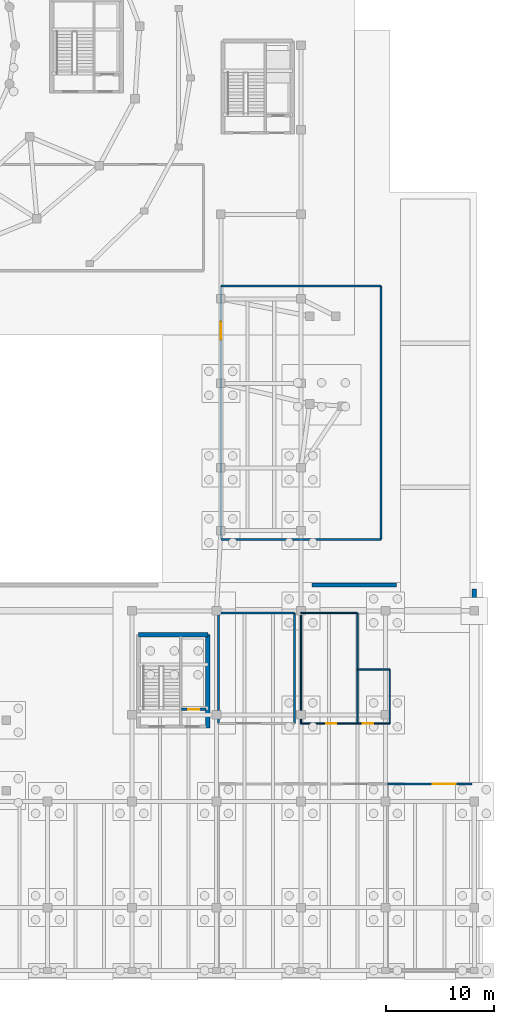
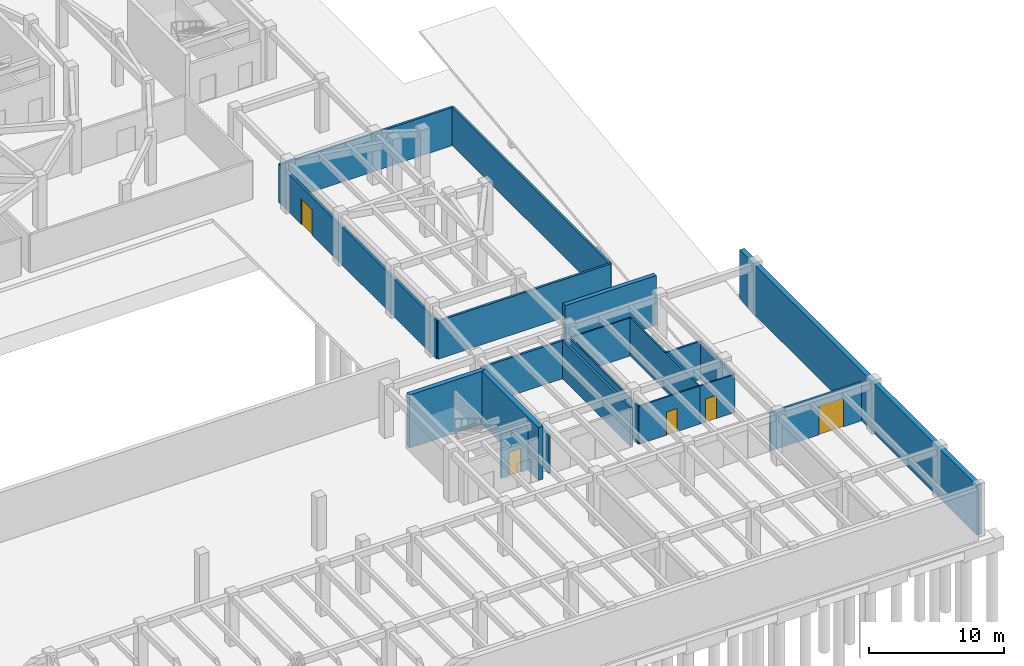
# One storey, part 7 of 11: 20 walls, 5 doors, 5 openings.
"""IFC4 building model written with IfcOpenShell, lengths in metres."""

from ifc_helpers import new_model, si_unit, direction, frame, frame_2d, origin, place, context, subcontext, project, spatial, rectangle, extrude, material, layer, layer_set, type_object, element, fill, save


model = new_model("IFC4")

# Units and contexts
model_context = context("Model", 3, precision=1e-05, world=origin(), true_north=direction((0.0, 1.0)))
body_context = subcontext(model_context, "Body", "Model", "MODEL_VIEW")
ifc_project = project(units=[si_unit("LENGTHUNIT", "METRE"), si_unit("AREAUNIT", "SQUARE_METRE"), si_unit("VOLUMEUNIT", "CUBIC_METRE"), si_unit("PLANEANGLEUNIT", "RADIAN"), si_unit("MASSUNIT", "GRAM", prefix="KILO")], contexts=[model_context])

# Site, building, storey
site_placement = place(None, origin())
site = spatial("IfcSite", under=ifc_project, at=site_placement, CompositionType="ELEMENT")
building_placement = place(site_placement, origin())
building = spatial("IfcBuilding", under=site, at=building_placement, Name="Pelvatis Terrace Science Centre", CompositionType="ELEMENT")
storey_placement = place(building_placement, frame((0.0, 0.0, -4.800048828125)))
storey = spatial("IfcBuildingStorey", under=building, at=storey_placement, Name="B01", CompositionType="ELEMENT", Elevation=-4.800048828125)

# Wall, opening, door
ifc_material_1 = material(Name="Masonry laboratory fire wall", Category="masonry")
ifc_layer_1 = layer(ifc_material_1, 0.18994140625)
ifc_layer_set_1 = layer_set([ifc_layer_1], Name="Masonry laboratory fire wall")
wall_type_1 = type_object("IfcWallType", Name="WL-INT-COMP-190", PredefinedType="PARTITIONING", material=ifc_layer_set_1)
wall_1_placement = place(storey_placement, frame((164.0, 17.60009765625, 0.0), z_axis=(0.0, 0.0, 1.0), x_axis=(-1.0, 0.0, 0.0)))
wall_1 = element("IfcWall", 1, at=wall_1_placement, inside=storey, type_object=wall_type_1, Name="Covered Heavy Exhibit Loading Dock partition wall N", PredefinedType="PARTITIONING", context=body_context, shape_type="SweptSolid", body=[
    extrude(rectangle(XDim=7.800048828125, YDim=0.18994140625, at=frame_2d((3.89990234375, 0.0))), origin(), (0.0, 0.0, 1.0), 3.449951171875),
])
opening_1_placement = place(wall_1_placement, frame((1.52197265625, 0.0, 0.0)))
opening_1 = element("IfcOpeningElement", 2, at=opening_1_placement, cuts=wall_1, Name="Opening D-164", PredefinedType="OPENING", context=body_context, shape_type="SweptSolid", body=[
    extrude(rectangle(XDim=2.10009765625, YDim=2.60009765625, at=frame_2d((1.050048828125, 1.300048828125))), frame((0.0, 0.10498046875, 0.0), z_axis=(0.0, -1.0, 0.0), x_axis=(1.0, 0.0, 0.0)), (0.0, 0.0, 1.0), 0.2099609375),
])
ifc_material_2 = material(Name="Steel workshop crating double fire door", Category="steel")
door_type_1 = type_object("IfcDoorType", Name="DR-WORK-2100x2600", OperationType="NOTDEFINED", PredefinedType="DOOR", material=ifc_material_2)
door_1_placement = place(opening_1_placement, origin())
door_1 = element("IfcDoor", 3, at=door_1_placement, inside=storey, type_object=door_type_1, Name="Covered Heavy Exhibit Loading Dock entrance door", OperationType="DOUBLE_DOOR_SINGLE_SWING", OverallHeight=2.60009765625, OverallWidth=2.10009765625, PredefinedType="DOOR", context=body_context, shape_type="SweptSolid", body=[
    extrude(rectangle(XDim=2.10009765625, YDim=2.60009765625, at=frame_2d((1.050048828125, 1.300048828125))), frame((0.0, 0.02490234375, 0.0), z_axis=(0.0, -1.0, 0.0), x_axis=(1.0, 0.0, 0.0)), (0.0, 0.0, 1.0), 0.050048828125),
])
fill(opening_1, door_1)

# Walls
wall_2_placement = place(storey_placement, frame((147.60009765625, 23.199951171875, 0.0), z_axis=(0.0, 0.0, 1.0), x_axis=(0.0, 1.0, 0.0)))
element("IfcWall", 4, at=wall_2_placement, inside=storey, type_object=wall_type_1, Name="Clean Electronics and Exhibit Prototyping Workshop partition wall E", PredefinedType="PARTITIONING", context=body_context, shape_type="SweptSolid", body=[
    extrude(rectangle(XDim=10.199951171875, YDim=0.18994140625, at=frame_2d((5.10009765625, 0.0))), origin(), (0.0, 0.0, 1.0), 3.449951171875),
])
wall_3_placement = place(storey_placement, frame((147.60009765625, 33.39990234375, 0.0), z_axis=(0.0, 0.0, 1.0), x_axis=(-1.0, 0.0, 0.0)))
element("IfcWall", 5, at=wall_3_placement, inside=storey, type_object=wall_type_1, Name="Clean Electronics and Exhibit Prototyping Workshop partition wall N", PredefinedType="PARTITIONING", context=body_context, shape_type="SweptSolid", body=[
    extrude(rectangle(XDim=7.0, YDim=0.18994140625, at=frame_2d((3.5, 0.0))), origin(), (0.0, 0.0, 1.0), 3.449951171875),
])
wall_4_placement = place(storey_placement, frame((140.60009765625, 33.39990234375, 0.0), z_axis=(0.0, 0.0, 1.0), x_axis=(0.0, -1.0, 0.0)))
element("IfcWall", 6, at=wall_4_placement, inside=storey, type_object=wall_type_1, Name="Clean Electronics and Exhibit Prototyping Workshop partition wall W", PredefinedType="PARTITIONING", context=body_context, shape_type="SweptSolid", body=[
    extrude(rectangle(XDim=10.199951171875, YDim=0.18994140625, at=frame_2d((5.10009765625, 0.0))), origin(), (0.0, 0.0, 1.0), 3.449951171875),
])
wall_5_placement = place(storey_placement, frame((140.800048828125, 40.199951171875, 0.0), z_axis=(0.0, 0.0, 1.0), x_axis=(1.0, 0.0, 0.0)))
element("IfcWall", 7, at=wall_5_placement, inside=storey, type_object=wall_type_1, Name="High-Density Natural History Specimen Compactor Archive partition wall S", PredefinedType="PARTITIONING", context=body_context, shape_type="SweptSolid", body=[
    extrude(rectangle(XDim=14.800048828125, YDim=0.18994140625, at=frame_2d((7.39990234375, 0.0))), origin(), (0.0, 0.0, 1.0), 3.449951171875),
])
wall_6_placement = place(storey_placement, frame((155.60009765625, 40.199951171875, 0.0), z_axis=(0.0, 0.0, 1.0), x_axis=(0.0, 1.0, 0.0)))
element("IfcWall", 8, at=wall_6_placement, inside=storey, type_object=wall_type_1, Name="High-Density Natural History Specimen Compactor Archive partition wall E", PredefinedType="PARTITIONING", context=body_context, shape_type="SweptSolid", body=[
    extrude(rectangle(XDim=23.400146484375, YDim=0.18994140625, at=frame_2d((11.7001953125, 0.0))), origin(), (0.0, 0.0, 1.0), 3.449951171875),
])
wall_7_placement = place(storey_placement, frame((155.60009765625, 63.60009765625, 0.0), z_axis=(0.0, 0.0, 1.0), x_axis=(-1.0, 0.0, 0.0)))
element("IfcWall", 9, at=wall_7_placement, inside=storey, type_object=wall_type_1, Name="High-Density Natural History Specimen Compactor Archive partition wall N", PredefinedType="PARTITIONING", context=body_context, shape_type="SweptSolid", body=[
    extrude(rectangle(XDim=14.800048828125, YDim=0.18994140625, at=frame_2d((7.39990234375, 0.0))), origin(), (0.0, 0.0, 1.0), 3.449951171875),
])

# Wall, opening, door
wall_8_placement = place(storey_placement, frame((140.800048828125, 63.60009765625, 0.0), z_axis=(0.0, 0.0, 1.0), x_axis=(0.0, -1.0, 0.0)))
wall_8 = element("IfcWall", 10, at=wall_8_placement, inside=storey, type_object=wall_type_1, Name="High-Density Natural History Specimen Compactor Archive partition wall W", PredefinedType="PARTITIONING", context=body_context, shape_type="SweptSolid", body=[
    extrude(rectangle(XDim=23.400146484375, YDim=0.18994140625, at=frame_2d((11.7001953125, 0.0))), origin(), (0.0, 0.0, 1.0), 3.449951171875),
])
opening_2_placement = place(wall_8_placement, frame((3.320068359375, 0.0, 0.0)))
opening_2 = element("IfcOpeningElement", 11, at=opening_2_placement, cuts=wall_8, Name="Opening D-167", PredefinedType="OPENING", context=body_context, shape_type="SweptSolid", body=[
    extrude(rectangle(XDim=1.64990234375, YDim=2.300048828125, at=frame_2d((0.824951171875, 1.14990234375))), frame((0.0, 0.10498046875, 0.0), z_axis=(0.0, -1.0, 0.0), x_axis=(1.0, 0.0, 0.0)), (0.0, 0.0, 1.0), 0.2099609375),
])
ifc_material_3 = material(Name="Insulated steel specimen archive fire door", Category="steel")
door_type_2 = type_object("IfcDoorType", Name="DR-ARCH-1650x2300", OperationType="NOTDEFINED", PredefinedType="DOOR", material=ifc_material_3)
door_2_placement = place(opening_2_placement, origin())
door_2 = element("IfcDoor", 12, at=door_2_placement, inside=storey, type_object=door_type_2, Name="High-Density Natural History Specimen Compactor Archive entrance door", OperationType="DOUBLE_DOOR_SINGLE_SWING", OverallHeight=2.300048828125, OverallWidth=1.64990234375, PredefinedType="DOOR", context=body_context, shape_type="SweptSolid", body=[
    extrude(rectangle(XDim=1.64990234375, YDim=2.300048828125, at=frame_2d((0.824951171875, 1.14990234375))), frame((0.0, 0.02490234375, 0.0), z_axis=(0.0, -1.0, 0.0), x_axis=(1.0, 0.0, 0.0)), (0.0, 0.0, 1.0), 0.050048828125),
])
fill(opening_2, door_2)

ifc_material_4 = material(Name="Concrete C35/45 stair enclosure wall", Category="concrete")
ifc_layer_2 = layer(ifc_material_4, 0.22509765625)
ifc_layer_set_2 = layer_set([ifc_layer_2], Name="Concrete C35/45 stair enclosure wall")
wall_type_2 = type_object("IfcWallType", Name="WL-INT-CORE-225", PredefinedType="PARTITIONING", material=ifc_layer_set_2)
wall_9_placement = place(storey_placement, frame((137.14990234375, 24.5, 0.0), z_axis=(0.0, 0.0, 1.0), x_axis=(1.0, 0.0, 0.0)))
wall_9 = element("IfcWall", 13, at=wall_9_placement, inside=storey, type_object=wall_type_2, Name="Core C4 lift shaft landing wall (B01)", PredefinedType="PARTITIONING", context=body_context, shape_type="SweptSolid", body=[
    extrude(rectangle(XDim=2.300048828125, YDim=0.22509765625, at=frame_2d((1.14990234375, 0.0))), origin(), (0.0, 0.0, 1.0), 3.840087890625),
])
opening_3_placement = place(wall_9_placement, frame((0.64990234375, 0.0, 0.0)))
opening_3 = element("IfcOpeningElement", 14, at=opening_3_placement, cuts=wall_9, Name="Opening LD-C4-1", PredefinedType="OPENING", context=body_context, shape_type="SweptSolid", body=[
    extrude(rectangle(XDim=1.0, YDim=2.14990234375, at=frame_2d((0.5, 1.074951171875))), frame((0.0, 0.12255859375, 0.0), z_axis=(0.0, -1.0, 0.0), x_axis=(1.0, 0.0, 0.0)), (0.0, 0.0, 1.0), 0.2451171875),
])
ifc_material_5 = material(Name="Bronze-clad sliding passenger lift landing door", Category="steel")
door_type_3 = type_object("IfcDoorType", Name="DR-LIFT-1000x2150", OperationType="NOTDEFINED", PredefinedType="DOOR", material=ifc_material_5)
door_3_placement = place(opening_3_placement, origin())
door_3 = element("IfcDoor", 15, at=door_3_placement, inside=storey, type_object=door_type_3, Name="Lift LF-06 sliding landing door (B01)", OperationType="SLIDING_TO_LEFT", OverallHeight=2.14990234375, OverallWidth=1.0, PredefinedType="DOOR", context=body_context, shape_type="SweptSolid", body=[
    extrude(rectangle(XDim=1.0, YDim=2.14990234375, at=frame_2d((0.5, 1.074951171875))), frame((0.0, 0.02490234375, 0.0), z_axis=(0.0, -1.0, 0.0), x_axis=(1.0, 0.0, 0.0)), (0.0, 0.0, 1.0), 0.050048828125),
])
fill(opening_3, door_3)

# Walls
ifc_material_6 = material(Name="Alcove display partition", Category="masonry")
ifc_layer_3 = layer(ifc_material_6, 0.110107421875)
ifc_layer_set_3 = layer_set([ifc_layer_3], Name="Alcove display partition")
wall_type_3 = type_object("IfcWallType", Name="WL-INT-GAL-110", PredefinedType="PARTITIONING", material=ifc_layer_set_3)
wall_10_placement = place(storey_placement, frame((156.39990234375, 23.199951171875, 0.0), z_axis=(0.0, 0.0, 1.0), x_axis=(0.0, 1.0, 0.0)))
element("IfcWall", 16, at=wall_10_placement, inside=storey, type_object=wall_type_3, Name="Basement Accessible WC partition wall E", PredefinedType="PARTITIONING", context=body_context, shape_type="SweptSolid", body=[
    extrude(rectangle(XDim=5.0, YDim=0.110107421875, at=frame_2d((2.5, 0.0))), origin(), (0.0, 0.0, 1.0), 3.449951171875),
])
ifc_material_7 = material(Name="Office partition wall", Category="masonry")
ifc_layer_4 = layer(ifc_material_7, 0.139892578125)
ifc_layer_set_4 = layer_set([ifc_layer_4], Name="Office partition wall")
wall_type_4 = type_object("IfcWallType", Name="WL-INT-GAL-140", PredefinedType="PARTITIONING", material=ifc_layer_set_4)
wall_11_placement = place(storey_placement, frame((153.39990234375, 23.199951171875, 0.0), z_axis=(0.0, 0.0, 1.0), x_axis=(0.0, 1.0, 0.0)))
element("IfcWall", 17, at=wall_11_placement, inside=storey, type_object=wall_type_4, Name="Basement Staff Restrooms partition wall E", PredefinedType="PARTITIONING", context=body_context, shape_type="SweptSolid", body=[
    extrude(rectangle(XDim=10.199951171875, YDim=0.139892578125, at=frame_2d((5.10009765625, 0.0))), origin(), (0.0, 0.0, 1.0), 3.449951171875),
])
wall_12_placement = place(storey_placement, frame((156.39990234375, 28.199951171875, 0.0), z_axis=(0.0, 0.0, 1.0), x_axis=(-1.0, 0.0, 0.0)))
element("IfcWall", 18, at=wall_12_placement, inside=storey, type_object=wall_type_4, Name="Basement Accessible WC partition wall N", PredefinedType="PARTITIONING", context=body_context, shape_type="SweptSolid", body=[
    extrude(rectangle(XDim=3.0, YDim=0.139892578125, at=frame_2d((1.5, 0.0))), origin(), (0.0, 0.0, 1.0), 3.449951171875),
])
ifc_material_8 = material(Name="Framed acoustic glass seminar screen", Category="glass")
ifc_layer_5 = layer(ifc_material_8, 0.10498046875)
ifc_layer_set_5 = layer_set([ifc_layer_5], Name="Framed acoustic glass seminar screen")
wall_type_5 = type_object("IfcWallType", Name="WL-INT-GLZ-105", PredefinedType="PARTITIONING", material=ifc_layer_set_5)
wall_13_placement = place(storey_placement, frame((153.39990234375, 33.39990234375, 0.0), z_axis=(0.0, 0.0, 1.0), x_axis=(-1.0, 0.0, 0.0)))
element("IfcWall", 19, at=wall_13_placement, inside=storey, type_object=wall_type_5, Name="Basement Staff Restrooms partition wall N", PredefinedType="PARTITIONING", context=body_context, shape_type="SweptSolid", body=[
    extrude(rectangle(XDim=5.199951171875, YDim=0.10498046875, at=frame_2d((2.60009765625, 0.0))), origin(), (0.0, 0.0, 1.0), 3.449951171875),
])
ifc_material_9 = material(Name="Standard gypsum board partition", Category="masonry")
ifc_layer_6 = layer(ifc_material_9, 0.125)
ifc_layer_set_6 = layer_set([ifc_layer_6], Name="Standard gypsum board partition")
wall_type_6 = type_object("IfcWallType", Name="WL-INT-STD-125", PredefinedType="PARTITIONING", material=ifc_layer_set_6)
wall_14_placement = place(storey_placement, frame((148.199951171875, 33.39990234375, 0.0), z_axis=(0.0, 0.0, 1.0), x_axis=(0.0, -1.0, 0.0)))
element("IfcWall", 20, at=wall_14_placement, inside=storey, type_object=wall_type_6, Name="Basement Staff Restrooms partition wall W", PredefinedType="PARTITIONING", context=body_context, shape_type="SweptSolid", body=[
    extrude(rectangle(XDim=10.199951171875, YDim=0.125, at=frame_2d((5.10009765625, 0.0))), origin(), (0.0, 0.0, 1.0), 3.449951171875),
])

# Wall, opening, door
ifc_material_10 = material(Name="Accessible WC cubicle partition", Category="masonry")
ifc_layer_7 = layer(ifc_material_10, 0.114990234375)
ifc_layer_set_7 = layer_set([ifc_layer_7], Name="Accessible WC cubicle partition")
wall_type_7 = type_object("IfcWallType", Name="WL-INT-WET-115", PredefinedType="PARTITIONING", material=ifc_layer_set_7)
wall_15_placement = place(storey_placement, frame((153.39990234375, 23.199951171875, 0.0), z_axis=(0.0, 0.0, 1.0), x_axis=(1.0, 0.0, 0.0)))
wall_15 = element("IfcWall", 21, at=wall_15_placement, inside=storey, type_object=wall_type_7, Name="Basement Accessible WC partition wall S", PredefinedType="PARTITIONING", context=body_context, shape_type="SweptSolid", body=[
    extrude(rectangle(XDim=3.0, YDim=0.114990234375, at=frame_2d((1.5, 0.0))), origin(), (0.0, 0.0, 1.0), 3.449951171875),
])
opening_4_placement = place(wall_15_placement, frame((0.5, 0.0, 0.0)))
opening_4 = element("IfcOpeningElement", 22, at=opening_4_placement, cuts=wall_15, Name="Opening D-172", PredefinedType="OPENING", context=body_context, shape_type="SweptSolid", body=[
    extrude(rectangle(XDim=0.949951171875, YDim=2.10009765625, at=frame_2d((0.47509765625, 1.050048828125))), frame((0.0, 0.0673828125, 0.0), z_axis=(0.0, -1.0, 0.0), x_axis=(1.0, 0.0, 0.0)), (0.0, 0.0, 1.0), 0.135009765625),
])
ifc_material_11 = material(Name="Moisture-resistant accessible restroom door", Category="wood")
door_type_4 = type_object("IfcDoorType", Name="DR-WC-0950x2100", OperationType="NOTDEFINED", PredefinedType="DOOR", material=ifc_material_11)
door_4_placement = place(opening_4_placement, origin())
door_4 = element("IfcDoor", 23, at=door_4_placement, inside=storey, type_object=door_type_4, Name="Basement Accessible WC entrance door", OperationType="SINGLE_SWING_LEFT", OverallHeight=2.10009765625, OverallWidth=0.949951171875, PredefinedType="DOOR", context=body_context, shape_type="SweptSolid", body=[
    extrude(rectangle(XDim=0.949951171875, YDim=2.10009765625, at=frame_2d((0.47509765625, 1.050048828125))), frame((0.0, 0.02490234375, 0.0), z_axis=(0.0, -1.0, 0.0), x_axis=(1.0, 0.0, 0.0)), (0.0, 0.0, 1.0), 0.050048828125),
])
fill(opening_4, door_4)

ifc_material_12 = material(Name="Ceramic-tiled wet restroom partition", Category="masonry")
ifc_layer_8 = layer(ifc_material_12, 0.1298828125)
ifc_layer_set_8 = layer_set([ifc_layer_8], Name="Ceramic-tiled wet restroom partition")
wall_type_8 = type_object("IfcWallType", Name="WL-INT-WET-130", PredefinedType="PARTITIONING", material=ifc_layer_set_8)
wall_16_placement = place(storey_placement, frame((148.199951171875, 23.199951171875, 0.0), z_axis=(0.0, 0.0, 1.0), x_axis=(1.0, 0.0, 0.0)))
wall_16 = element("IfcWall", 24, at=wall_16_placement, inside=storey, type_object=wall_type_8, Name="Basement Staff Restrooms partition wall S", PredefinedType="PARTITIONING", context=body_context, shape_type="SweptSolid", body=[
    extrude(rectangle(XDim=5.199951171875, YDim=0.1298828125, at=frame_2d((2.60009765625, 0.0))), origin(), (0.0, 0.0, 1.0), 3.449951171875),
])
opening_5_placement = place(wall_16_placement, frame((2.344970703125, 0.0, 0.0)))
opening_5 = element("IfcOpeningElement", 25, at=opening_5_placement, cuts=wall_16, Name="Opening D-171", PredefinedType="OPENING", context=body_context, shape_type="SweptSolid", body=[
    extrude(rectangle(XDim=0.919921875, YDim=2.10009765625, at=frame_2d((0.4599609375, 1.050048828125))), frame((0.0, 0.074951171875, 0.0), z_axis=(0.0, -1.0, 0.0), x_axis=(1.0, 0.0, 0.0)), (0.0, 0.0, 1.0), 0.14990234375),
])
ifc_material_13 = material(Name="Moisture-resistant public restroom door", Category="wood")
door_type_5 = type_object("IfcDoorType", Name="DR-WC-0920x2100", OperationType="NOTDEFINED", PredefinedType="DOOR", material=ifc_material_13)
door_5_placement = place(opening_5_placement, origin())
door_5 = element("IfcDoor", 26, at=door_5_placement, inside=storey, type_object=door_type_5, Name="Basement Staff Restrooms entrance door", OperationType="SINGLE_SWING_RIGHT", OverallHeight=2.10009765625, OverallWidth=0.919921875, PredefinedType="DOOR", context=body_context, shape_type="SweptSolid", body=[
    extrude(rectangle(XDim=0.919921875, YDim=2.10009765625, at=frame_2d((0.4599609375, 1.050048828125))), frame((0.0, 0.02490234375, 0.0), z_axis=(0.0, -1.0, 0.0), x_axis=(1.0, 0.0, 0.0)), (0.0, 0.0, 1.0), 0.050048828125),
])
fill(opening_5, door_5)

# Walls
ifc_material_14 = material(Name="Concrete C35/45", Category="concrete")
ifc_layer_9 = layer(ifc_material_14, 0.3701171875)
ifc_layer_set_9 = layer_set([ifc_layer_9], Name="Concrete C35/45")
wall_type_9 = type_object("IfcWallType", Name="WL-RET-370", PredefinedType="USERDEFINED", material=ifc_layer_set_9)
wall_17_placement = place(storey_placement, frame((149.199951171875, 36.0, 0.0), z_axis=(0.0, 0.0, 1.0), x_axis=(1.0, 0.0, 0.0)))
element("IfcWall", 27, at=wall_17_placement, inside=storey, type_object=wall_type_9, Name="Basement retaining wall N2", ObjectType="RETAINING WALL", PredefinedType="USERDEFINED", context=body_context, shape_type="SweptSolid", body=[
    extrude(rectangle(XDim=7.800048828125, YDim=0.3701171875, at=frame_2d((3.89990234375, 0.0))), origin(), (0.0, 0.0, 1.0), 4.52001953125),
])
ifc_material_15 = material(Name="Concrete C35/45", Category="concrete")
ifc_layer_10 = layer(ifc_material_15, 0.409912109375)
ifc_layer_set_10 = layer_set([ifc_layer_10], Name="Concrete C35/45")
wall_type_10 = type_object("IfcWallType", Name="WL-RET-410", PredefinedType="USERDEFINED", material=ifc_layer_set_10)
wall_18_placement = place(storey_placement, frame((164.199951171875, 0.39990234375, 0.0), z_axis=(0.0, 0.0, 1.0), x_axis=(0.0, 1.0, 0.0)))
element("IfcWall", 28, at=wall_18_placement, inside=storey, type_object=wall_type_10, Name="Basement retaining wall E1", ObjectType="RETAINING WALL", PredefinedType="USERDEFINED", context=body_context, shape_type="SweptSolid", body=[
    extrude(rectangle(XDim=35.2001953125, YDim=0.409912109375, at=frame_2d((17.60009765625, 0.0))), origin(), (0.0, 0.0, 1.0), 4.52001953125),
])
ifc_material_16 = material(Name="Concrete C40/50", Category="concrete")
ifc_layer_11 = layer(ifc_material_16, 0.39990234375)
ifc_layer_set_11 = layer_set([ifc_layer_11], Name="Concrete C40/50")
wall_type_11 = type_object("IfcWallType", Name="WL-SHR-400", PredefinedType="SHEAR", material=ifc_layer_set_11)
wall_19_placement = place(storey_placement, frame((133.199951171875, 31.39990234375, 0.0), z_axis=(0.0, 0.0, 1.0), x_axis=(1.0, 0.0, 0.0)))
element("IfcWall", 29, at=wall_19_placement, inside=storey, type_object=wall_type_11, Name="Core C4 shear wall N (B01)", PredefinedType="SHEAR", context=body_context, shape_type="SweptSolid", body=[
    extrude(rectangle(XDim=6.400146484375, YDim=0.39990234375, at=frame_2d((3.2001953125, 0.0))), origin(), (0.0, 0.0, 1.0), 4.800048828125),
])
wall_20_placement = place(storey_placement, frame((139.60009765625, 22.800048828125, 0.0), z_axis=(0.0, 0.0, 1.0), x_axis=(0.0, 1.0, 0.0)))
element("IfcWall", 30, at=wall_20_placement, inside=storey, type_object=wall_type_11, Name="Core C4 shear wall E (B01)", PredefinedType="SHEAR", context=body_context, shape_type="SweptSolid", body=[
    extrude(rectangle(XDim=8.599853515625, YDim=0.39990234375, at=frame_2d((4.2998046875, 0.0))), origin(), (0.0, 0.0, 1.0), 4.800048828125),
])

save(model, "model.ifc")
